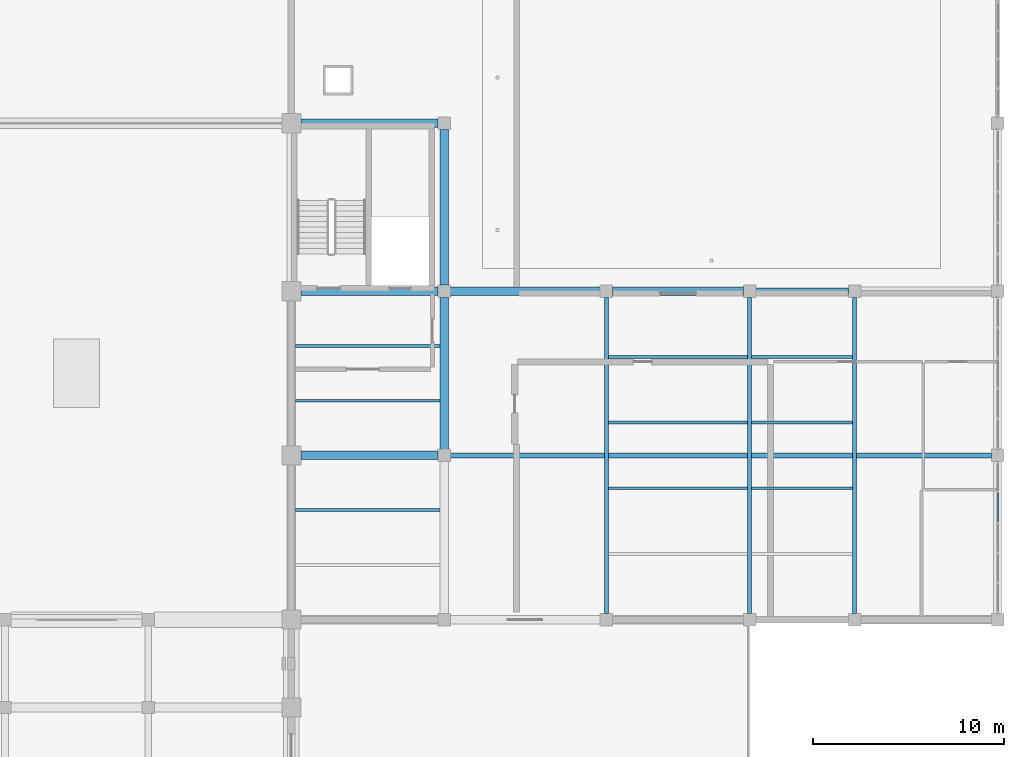
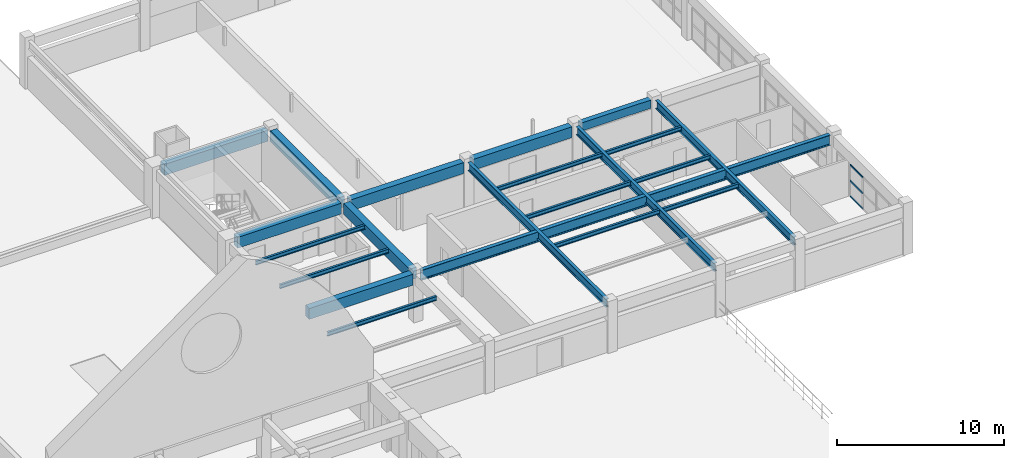
# One storey, part 33 of 74: 21 beams, 3 members, 1 element without a shape of its own.
"""IFC4 building model written with IfcOpenShell, lengths in metres."""

from ifc_helpers import new_model, si_unit, direction, frame, origin, origin_2d, place, context, subcontext, project, spatial, rectangle, hollow_rectangle, i_section, extrude, material, layer, layer_set, material_profile, profile_set, type_object, element, aggregate, save


model = new_model("IFC4")

# Units and contexts
model_context = context("Model", 3, precision=1e-05, world=origin(), true_north=direction((0.0, 1.0)))
body_context = subcontext(model_context, "Body", "Model", "MODEL_VIEW")
ifc_project = project(units=[si_unit("LENGTHUNIT", "METRE"), si_unit("AREAUNIT", "SQUARE_METRE"), si_unit("VOLUMEUNIT", "CUBIC_METRE"), si_unit("PLANEANGLEUNIT", "RADIAN"), si_unit("MASSUNIT", "GRAM", prefix="KILO")], contexts=[model_context])

# Site, building, storey
site_placement = place(None, origin())
site = spatial("IfcSite", under=ifc_project, at=site_placement, CompositionType="ELEMENT")
building_placement = place(site_placement, origin())
building = spatial("IfcBuilding", under=site, at=building_placement, Name="Muzn Square Opera House", CompositionType="ELEMENT")
storey_placement = place(building_placement, frame((0.0, 0.0, 14.199951171875)))
storey = spatial("IfcBuildingStorey", under=building, at=storey_placement, Name="L03", CompositionType="ELEMENT", Elevation=14.199951171875)

# Curtain wall, members
ifc_material_1 = material(Name="Low-E laminated acoustic double glazing", Category="glass")
ifc_layer = layer(ifc_material_1, 0.159912109375, Name="Low-E laminated acoustic double glazing", Category="glass")
ifc_layer_set = layer_set([ifc_layer], Name="Low-E laminated acoustic double glazing")
curtain_wall_type = type_object("IfcCurtainWallType", Name="Glazed Curtain Wall RehearsalEast 7950x2350", PredefinedType="USERDEFINED", material=ifc_layer_set)
curtain_wall_placement = place(storey_placement, origin())
curtain_wall = element("IfcCurtainWall", 1, at=curtain_wall_placement, inside=storey, type_object=curtain_wall_type, Name="Glazed Curtain Wall CW-L03-126", ObjectType="GLAZED CURTAIN WALL", PredefinedType="USERDEFINED")
ifc_material_2 = material(Name="Anodised bronze aluminium 6063-T6", Category="metal")
ifc_material_profile_1 = material_profile(ifc_material_2, hollow_rectangle(XDim=0.06005859375, YDim=0.1201171875, WallThickness=0.00390625, at=origin_2d()), Name="ALU 120x60x4", Category="metal")
ifc_profile_set_1 = profile_set([ifc_material_profile_1], Name="Anodised bronze aluminium 6063-T6")
member_type = type_object("IfcMemberType", Name="Curtain Wall Transom 120x60", PredefinedType="USERDEFINED", material=ifc_profile_set_1)
member_1_placement = place(storey_placement, frame((170.0, 77.72509765625, 0.030029296875), z_axis=(0.0, 1.0, 0.0), x_axis=(-1.0, 0.0, 0.0)))
member_1 = element("IfcMember", 2, at=member_1_placement, type_object=member_type, Name="CW-RHE-79x23 transom 4.1", ObjectType="TRANSOM", PredefinedType="USERDEFINED", context=body_context, shape_type="SweptSolid", body=[
    extrude(hollow_rectangle(XDim=0.06005859375, YDim=0.1201171875, WallThickness=0.00390625, at=origin_2d()), origin(), (0.0, 0.0, 1.0), 1.52978515625),
])
member_2_placement = place(storey_placement, frame((170.0, 77.72509765625, 1.175048828125), z_axis=(0.0, 1.0, 0.0), x_axis=(-1.0, 0.0, 0.0)))
member_2 = element("IfcMember", 3, at=member_2_placement, type_object=member_type, Name="CW-RHE-79x23 transom 4.2", ObjectType="TRANSOM", PredefinedType="USERDEFINED", context=body_context, shape_type="SweptSolid", body=[
    extrude(hollow_rectangle(XDim=0.06005859375, YDim=0.1201171875, WallThickness=0.00390625, at=origin_2d()), origin(), (0.0, 0.0, 1.0), 1.52978515625),
])
member_3_placement = place(storey_placement, frame((170.0, 77.72509765625, 2.320068359375), z_axis=(0.0, 1.0, 0.0), x_axis=(-1.0, 0.0, 0.0)))
member_3 = element("IfcMember", 4, at=member_3_placement, type_object=member_type, Name="CW-RHE-79x23 transom 4.3", ObjectType="TRANSOM", PredefinedType="USERDEFINED", context=body_context, shape_type="SweptSolid", body=[
    extrude(hollow_rectangle(XDim=0.06005859375, YDim=0.1201171875, WallThickness=0.00390625, at=origin_2d()), origin(), (0.0, 0.0, 1.0), 1.52978515625),
])
aggregate(curtain_wall, [member_1, member_2, member_3])

# Beams
ifc_material_3 = material(Name="Steel S355", Category="steel")
ifc_material_profile_2 = material_profile(ifc_material_3, i_section(OverallWidth=0.264892578125, OverallDepth=0.7529296875, WebThickness=0.01318359375, FlangeThickness=0.01708984375, FilletRadius=0.01708984375, at=origin_2d()), Name="IPE 750x147", Category="steel")
ifc_profile_set_2 = profile_set([ifc_material_profile_2], Name="Steel S355")
beam_type_1 = type_object("IfcBeamType", Name="Long Span Foyer Beam IPE750", PredefinedType="BEAM", material=ifc_profile_set_2)
beam_1_placement = place(storey_placement, frame((141.31689453125, 81.199951171875, 3.1435546875), z_axis=(1.0, 0.0, 0.0), x_axis=(0.0, 1.0, 0.0)))
element("IfcBeam", 5, at=beam_1_placement, inside=storey, type_object=beam_type_1, Name="Primary Girder BM-L03-BM-LF750-1413_812_1697_812-2505", PredefinedType="BEAM", context=body_context, shape_type="SweptSolid", body=[
    extrude(i_section(OverallWidth=0.264892578125, OverallDepth=0.7529296875, WebThickness=0.01318359375, FlangeThickness=0.01708984375, FilletRadius=0.01708984375, at=origin_2d()), origin(), (0.0, 0.0, 1.0), 28.3662109375),
])
ifc_material_4 = material(Name="Concrete C40/50", Category="concrete")
ifc_material_profile_3 = material_profile(ifc_material_4, rectangle(XDim=0.35009765625, YDim=0.60009765625, at=origin_2d()), Name="RCB 350x600", Category="concrete")
ifc_profile_set_3 = profile_set([ifc_material_profile_3], Name="Concrete C40/50")
beam_type_2 = type_object("IfcBeamType", Name="Primary Girder 350x600", PredefinedType="BEAM", material=ifc_profile_set_3)
beam_2_placement = place(storey_placement, frame((157.31689453125, 89.800048828125, 3.219970703125), z_axis=(1.0, 0.0, 0.0), x_axis=(0.0, 1.0, 0.0)))
element("IfcBeam", 6, at=beam_2_placement, inside=storey, type_object=beam_type_2, Name="Primary Girder BM-L03-BM-PG600-1573_898_1622_898-2512", PredefinedType="BEAM", context=body_context, shape_type="SweptSolid", body=[
    extrude(rectangle(XDim=0.35009765625, YDim=0.60009765625, at=origin_2d()), origin(), (0.0, 0.0, 1.0), 4.8662109375),
])
ifc_material_profile_4 = material_profile(ifc_material_4, rectangle(XDim=0.449951171875, YDim=0.800048828125, at=origin_2d()), Name="RCB 450x800", Category="concrete")
ifc_profile_set_4 = profile_set([ifc_material_profile_4], Name="Concrete C40/50")
beam_type_3 = type_object("IfcBeamType", Name="Primary Girder 450x800", PredefinedType="BEAM", material=ifc_profile_set_4)
for number, where, z_axis, x_axis, name in (
    (7, (133.491943359375, 81.199951171875, 3.1201171875), (1.0, 0.0, 0.0), (0.0, 1.0, 0.0), "Primary Girder BM-L03-BM-PG800-1335_812_1407_812-2504"),
    (8, (133.491943359375, 89.800048828125, 3.1201171875), (1.0, 0.0, 0.0), (0.0, 1.0, 0.0), "Primary Girder BM-L03-BM-PG800-1335_898_1407_898-2509"),
):
    element("IfcBeam", number, at=place(storey_placement, frame(where, z_axis=z_axis, x_axis=x_axis)), inside=storey, type_object=beam_type_3, Name=name, PredefinedType="BEAM", context=body_context, shape_type="SweptSolid", body=[
        extrude(rectangle(XDim=0.449951171875, YDim=0.800048828125, at=origin_2d()), origin(), (0.0, 0.0, 1.0), 7.191162109375),
    ])
beam_3_placement = place(storey_placement, frame((141.31689453125, 89.800048828125, 3.1201171875), z_axis=(1.0, 0.0, 0.0), x_axis=(0.0, 1.0, 0.0)))
element("IfcBeam", 9, at=beam_3_placement, inside=storey, type_object=beam_type_3, Name="Primary Girder BM-L03-BM-PG800-1413_898_1492_898-2510", PredefinedType="BEAM", context=body_context, shape_type="SweptSolid", body=[
    extrude(rectangle(XDim=0.449951171875, YDim=0.800048828125, at=origin_2d()), origin(), (0.0, 0.0, 1.0), 7.8662109375),
])
beam_4_placement = place(storey_placement, frame((149.81689453125, 89.800048828125, 3.1201171875), z_axis=(1.0, 0.0, 0.0), x_axis=(0.0, 1.0, 0.0)))
element("IfcBeam", 10, at=beam_4_placement, inside=storey, type_object=beam_type_3, Name="Primary Girder BM-L03-BM-PG800-1498_898_1567_898-2511", PredefinedType="BEAM", context=body_context, shape_type="SweptSolid", body=[
    extrude(rectangle(XDim=0.449951171875, YDim=0.800048828125, at=origin_2d()), origin(), (0.0, 0.0, 1.0), 6.8662109375),
])
beam_5_placement = place(storey_placement, frame((133.491943359375, 98.60009765625, 3.1201171875), z_axis=(1.0, 0.0, 0.0), x_axis=(0.0, 1.0, 0.0)))
element("IfcBeam", 11, at=beam_5_placement, inside=storey, type_object=beam_type_3, Name="Primary Girder BM-L03-BM-PG800-1335_986_1407_986-2519", PredefinedType="BEAM", context=body_context, shape_type="SweptSolid", body=[
    extrude(rectangle(XDim=0.449951171875, YDim=0.800048828125, at=origin_2d()), origin(), (0.0, 0.0, 1.0), 7.191162109375),
])
beam_6_placement = place(storey_placement, frame((141.0, 81.51708984375, 3.1201171875), z_axis=(0.0, 1.0, 0.0), x_axis=(-1.0, 0.0, 0.0)))
element("IfcBeam", 12, at=beam_6_placement, inside=storey, type_object=beam_type_3, Name="Primary Girder BM-L03-BM-PG800-1410_815_1410_895-2628", PredefinedType="BEAM", context=body_context, shape_type="SweptSolid", body=[
    extrude(rectangle(XDim=0.449951171875, YDim=0.800048828125, at=origin_2d()), origin(), (0.0, 0.0, 1.0), 7.9658203125),
])
beam_7_placement = place(storey_placement, frame((141.0, 90.116943359375, 3.1201171875), z_axis=(0.0, 1.0, 0.0), x_axis=(-1.0, 0.0, 0.0)))
element("IfcBeam", 13, at=beam_7_placement, inside=storey, type_object=beam_type_3, Name="Primary Girder BM-L03-BM-PG800-1410_901_1410_983-2629", PredefinedType="BEAM", context=body_context, shape_type="SweptSolid", body=[
    extrude(rectangle(XDim=0.449951171875, YDim=0.800048828125, at=origin_2d()), origin(), (0.0, 0.0, 1.0), 8.166015625),
])
ifc_material_profile_5 = material_profile(ifc_material_3, i_section(OverallWidth=0.14990234375, OverallDepth=0.300048828125, WebThickness=0.007080078125, FlangeThickness=0.0107421875, FilletRadius=0.014892578125, at=origin_2d()), Name="IPE 300", Category="steel")
ifc_profile_set_5 = profile_set([ifc_material_profile_5], Name="Steel S355")
beam_type_4 = type_object("IfcBeamType", Name="Secondary Steel Joist IPE300", PredefinedType="JOIST", material=ifc_profile_set_5)
for number, where, z_axis, x_axis, name in (
    (14, (133.217041015625, 78.333251953125, 3.3701171875), (1.0, 0.0, 0.0), (0.0, 1.0, 0.0), "Floor Joist BM-L03-BM-SJ300-1332_783_1408_783-2653"),
    (15, (133.217041015625, 84.066650390625, 3.3701171875), (1.0, 0.0, 0.0), (0.0, 1.0, 0.0), "Floor Joist BM-L03-BM-SJ300-1332_841_1408_841-2654"),
    (16, (133.217041015625, 86.933349609375, 3.3701171875), (1.0, 0.0, 0.0), (0.0, 1.0, 0.0), "Floor Joist BM-L03-BM-SJ300-1332_869_1408_869-2655"),
):
    element("IfcBeam", number, at=place(storey_placement, frame(where, z_axis=z_axis, x_axis=x_axis)), inside=storey, type_object=beam_type_4, Name=name, PredefinedType="JOIST", context=body_context, shape_type="SweptSolid", body=[
        extrude(i_section(OverallWidth=0.14990234375, OverallDepth=0.300048828125, WebThickness=0.007080078125, FlangeThickness=0.0107421875, FilletRadius=0.014892578125, at=origin_2d()), origin(), (0.0, 0.0, 1.0), 7.56591796875),
    ])
for number, where, z_axis, x_axis, name in (
    (17, (149.60205078125, 79.47998046875, 3.3701171875), (1.0, 0.0, 0.0), (0.0, 1.0, 0.0), "Floor Joist BM-L03-BM-SJ300-1496_795_1569_795-2657"),
    (18, (149.60205078125, 82.919921875, 3.3701171875), (1.0, 0.0, 0.0), (0.0, 1.0, 0.0), "Floor Joist BM-L03-BM-SJ300-1496_829_1569_829-2658"),
    (19, (149.60205078125, 86.360107421875, 3.3701171875), (1.0, 0.0, 0.0), (0.0, 1.0, 0.0), "Floor Joist BM-L03-BM-SJ300-1496_864_1569_864-2659"),
):
    element("IfcBeam", number, at=place(storey_placement, frame(where, z_axis=z_axis, x_axis=x_axis)), inside=storey, type_object=beam_type_4, Name=name, PredefinedType="JOIST", context=body_context, shape_type="SweptSolid", body=[
        extrude(i_section(OverallWidth=0.14990234375, OverallDepth=0.300048828125, WebThickness=0.007080078125, FlangeThickness=0.0107421875, FilletRadius=0.014892578125, at=origin_2d()), origin(), (0.0, 0.0, 1.0), 7.2958984375),
    ])
for number, where, z_axis, x_axis, name in (
    (20, (157.10205078125, 79.47998046875, 3.3701171875), (1.0, 0.0, 0.0), (0.0, 1.0, 0.0), "Floor Joist BM-L03-BM-SJ300-1571_795_1624_795-2661"),
    (21, (157.10205078125, 82.919921875, 3.3701171875), (1.0, 0.0, 0.0), (0.0, 1.0, 0.0), "Floor Joist BM-L03-BM-SJ300-1571_829_1624_829-2662"),
    (22, (157.10205078125, 86.360107421875, 3.3701171875), (1.0, 0.0, 0.0), (0.0, 1.0, 0.0), "Floor Joist BM-L03-BM-SJ300-1571_864_1624_864-2663"),
):
    element("IfcBeam", number, at=place(storey_placement, frame(where, z_axis=z_axis, x_axis=x_axis)), inside=storey, type_object=beam_type_4, Name=name, PredefinedType="JOIST", context=body_context, shape_type="SweptSolid", body=[
        extrude(i_section(OverallWidth=0.14990234375, OverallDepth=0.300048828125, WebThickness=0.007080078125, FlangeThickness=0.0107421875, FilletRadius=0.014892578125, at=origin_2d()), origin(), (0.0, 0.0, 1.0), 5.2958984375),
    ])
ifc_material_profile_6 = material_profile(ifc_material_3, i_section(OverallWidth=0.219970703125, OverallDepth=0.60009765625, WebThickness=0.011962890625, FlangeThickness=0.01904296875, FilletRadius=0.02392578125, at=origin_2d()), Name="IPE 600", Category="steel")
ifc_profile_set_6 = profile_set([ifc_material_profile_6], Name="Steel S355")
beam_type_5 = type_object("IfcBeamType", Name="Stage Gallery Beam IPE600", PredefinedType="BEAM", material=ifc_profile_set_6)
for number, where, z_axis, x_axis, name in (
    (23, (149.5, 72.9169921875, 3.219970703125), (0.0, 1.0, 0.0), (-1.0, 0.0, 0.0), "Primary Girder BM-L03-BM-SG600-1495_729_1495_895-2630"),
    (24, (157.0, 72.9169921875, 3.219970703125), (0.0, 1.0, 0.0), (-1.0, 0.0, 0.0), "Primary Girder BM-L03-BM-SG600-1570_729_1570_895-2631"),
    (25, (162.5, 72.9169921875, 3.219970703125), (0.0, 1.0, 0.0), (-1.0, 0.0, 0.0), "Primary Girder BM-L03-BM-SG600-1625_729_1625_895-2632"),
):
    element("IfcBeam", number, at=place(storey_placement, frame(where, z_axis=z_axis, x_axis=x_axis)), inside=storey, type_object=beam_type_5, Name=name, PredefinedType="BEAM", context=body_context, shape_type="SweptSolid", body=[
        extrude(i_section(OverallWidth=0.219970703125, OverallDepth=0.60009765625, WebThickness=0.011962890625, FlangeThickness=0.01904296875, FilletRadius=0.02392578125, at=origin_2d()), origin(), (0.0, 0.0, 1.0), 16.56591796875),
    ])

save(model, "model.ifc")
